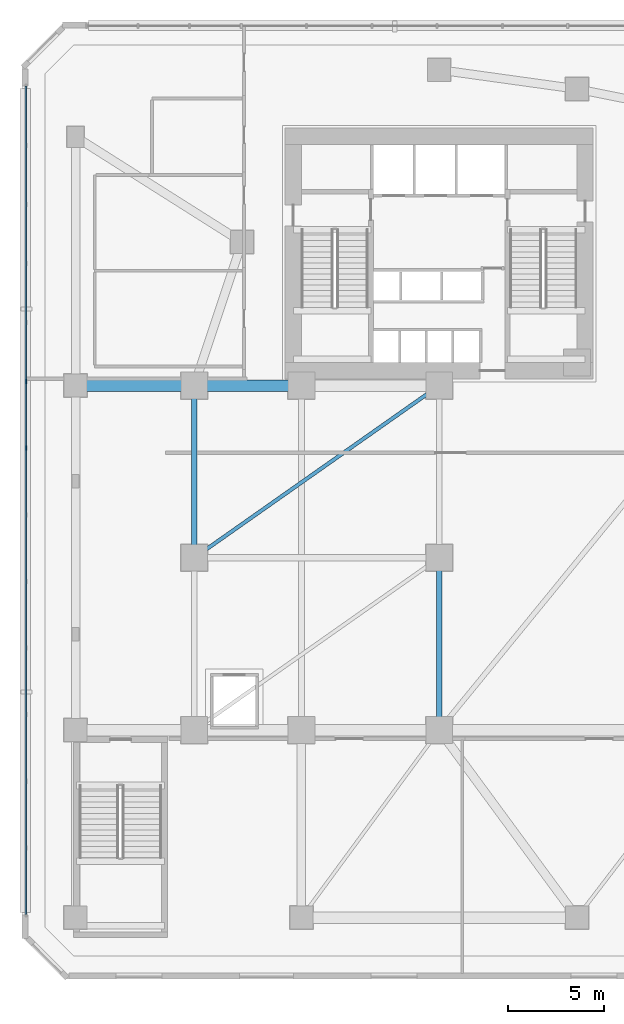
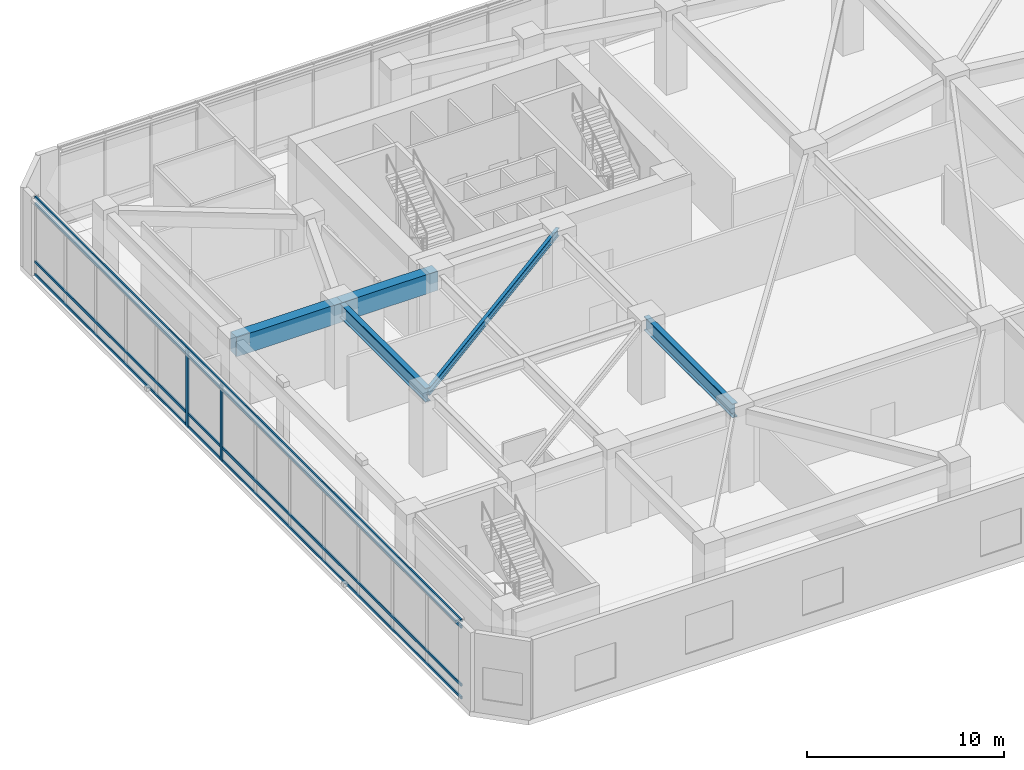
# One storey, part 3 of 18: 6 members, 5 beams, 1 element without a shape of its own.
"""IFC4 building model written with IfcOpenShell, lengths in metres."""

from ifc_helpers import new_model, si_unit, direction, frame, origin, origin_2d, place, context, subcontext, project, spatial, rectangle, i_section, extrude, source, transform, mapped, material, material_profile, profile_set, type_object, element, aggregate, save


model = new_model("IFC4")

# Units and contexts
model_context = context("Model", 3, precision=1e-05, world=origin(), true_north=direction((0.0, 1.0)))
body_context = subcontext(model_context, "Body", "Model", "MODEL_VIEW")
ifc_project = project(units=[si_unit("LENGTHUNIT", "METRE"), si_unit("AREAUNIT", "SQUARE_METRE"), si_unit("VOLUMEUNIT", "CUBIC_METRE"), si_unit("PLANEANGLEUNIT", "RADIAN"), si_unit("MASSUNIT", "GRAM", prefix="KILO")], contexts=[model_context])

# Site, building, storey
site_placement = place(None, origin())
site = spatial("IfcSite", under=ifc_project, at=site_placement, CompositionType="ELEMENT")
building_placement = place(site_placement, origin())
building = spatial("IfcBuilding", under=site, at=building_placement, Name="Calvemar Wedge Station Tower", CompositionType="ELEMENT")
storey_placement = place(building_placement, frame((0.0, 0.0, 11.199951171875)))
storey = spatial("IfcBuildingStorey", under=building, at=storey_placement, Name="L03", CompositionType="ELEMENT", Elevation=11.199951171875)

# Beams
ifc_material_1 = material(Name="Concrete C60", Category="concrete")
ifc_material_profile_1 = material_profile(ifc_material_1, rectangle(XDim=0.60009765625, YDim=1.199951171875, at=origin_2d()), Name="RC600x1200")
ifc_profile_set_1 = profile_set([ifc_material_profile_1], Name="Concrete C60")
beam_type_1 = type_object("IfcBeamType", Name="BM-G1-1200", PredefinedType="BEAM", material=ifc_profile_set_1)
shared_shape_1 = source(origin(), body_context, "Body", "SweptSolid", [
    extrude(rectangle(XDim=0.60009765625, YDim=1.199951171875, at=origin_2d()), origin(), (0.0, 0.0, 1.0), 6.199951171875),
])
beam_1_placement = place(storey_placement, frame((4.800048828125, 33.0, 4.300048828125), z_axis=(1.0, 0.0, 0.0), x_axis=(0.0, 1.0, 0.0)))
element("IfcBeam", 1, at=beam_1_placement, inside=storey, type_object=beam_type_1, Name="Storey L03 Primary Girder G11", PredefinedType="BEAM", context=body_context, shape_type="MappedRepresentation", body=[
    mapped(shared_shape_1, transform((0.0, 0.0, 0.0), scale=1.0)),
])
shared_shape_2 = source(origin(), body_context, "Body", "SweptSolid", [
    extrude(rectangle(XDim=0.60009765625, YDim=1.199951171875, at=origin_2d()), origin(), (0.0, 0.0, 1.0), 5.60009765625),
])
beam_2_placement = place(storey_placement, frame((11.0, 33.0, 4.300048828125), z_axis=(1.0, 0.0, 0.0), x_axis=(0.0, 1.0, 0.0)))
element("IfcBeam", 2, at=beam_2_placement, inside=storey, type_object=beam_type_1, Name="Storey L03 Primary Girder G12", PredefinedType="BEAM", context=body_context, shape_type="MappedRepresentation", body=[
    mapped(shared_shape_2, transform((0.0, 0.0, 0.0), scale=1.0)),
])
ifc_material_2 = material(Name="Structural steel ASTM A572 Grade 50", Category="steel")
ifc_material_profile_2 = material_profile(ifc_material_2, i_section(OverallWidth=0.303955078125, OverallDepth=0.862060546875, WebThickness=0.019775390625, FlangeThickness=0.035888671875, FilletRadius=0.02001953125, at=origin_2d()), Name="W840x329")
ifc_profile_set_2 = profile_set([ifc_material_profile_2], Name="Structural steel ASTM A572 Grade 50")
beam_type_2 = type_object("IfcBeamType", Name="BM-TR2-W840", PredefinedType="BEAM", material=ifc_profile_set_2)
shared_shape_3 = source(origin(), body_context, "Body", "SweptSolid", [
    extrude(i_section(OverallWidth=0.303955078125, OverallDepth=0.862060546875, WebThickness=0.019775390625, FlangeThickness=0.035888671875, FilletRadius=0.02001953125, at=origin_2d()), origin(), (0.0, 0.0, 1.0), 9.0),
])
for number, where, z_axis, x_axis, name in (
    (3, (11.0, 24.0, 4.468994140625), (0.0, 1.0, 0.0), (-1.0, 0.0, 0.0), "Storey L03 Primary Girder G20"),
    (4, (23.800048828125, 15.0, 4.468994140625), (0.0, 1.0, 0.0), (-1.0, 0.0, 0.0), "Storey L03 Primary Girder G22"),
):
    element("IfcBeam", number, at=place(storey_placement, frame(where, z_axis=z_axis, x_axis=x_axis)), inside=storey, type_object=beam_type_2, Name=name, PredefinedType="BEAM", context=body_context, shape_type="MappedRepresentation", body=[
        mapped(shared_shape_3, transform((0.0, 0.0, 0.0), scale=1.0)),
    ])
ifc_material_profile_3 = material_profile(ifc_material_2, i_section(OverallWidth=0.19189453125, OverallDepth=0.462890625, WebThickness=0.010498046875, FlangeThickness=0.017578125, FilletRadius=0.012939453125, at=origin_2d()), Name="W460x89")
ifc_profile_set_3 = profile_set([ifc_material_profile_3], Name="Structural steel ASTM A572 Grade 50")
beam_type_3 = type_object("IfcBeamType", Name="BM-J1-W460", PredefinedType="JOIST", material=ifc_profile_set_3)
shared_shape_4 = source(origin(), body_context, "Body", "SweptSolid", [
    extrude(i_section(OverallWidth=0.19189453125, OverallDepth=0.462890625, WebThickness=0.010498046875, FlangeThickness=0.017578125, FilletRadius=0.012939453125, at=origin_2d()), origin(), (0.0, 0.0, 1.0), 15.6474609375),
])
beam_3_placement = place(storey_placement, frame((11.0, 24.0, 4.66845703125), z_axis=(0.818030190743, 0.575175283747, 0.0), x_axis=(-0.575175283747, 0.818030190743, 0.0)))
element("IfcBeam", 5, at=beam_3_placement, inside=storey, type_object=beam_type_3, Name="Storey L03 Concourse Cross Joist 2", PredefinedType="JOIST", context=body_context, shape_type="MappedRepresentation", body=[
    mapped(shared_shape_4, transform((0.0, 0.0, 0.0), scale=1.0)),
])

# Curtain wall, members
ifc_material_3 = material(Name="Anodised aluminium 6063-T6", Category="aluminium")
curtain_wall_type = type_object("IfcCurtainWallType", Name="CW5", PredefinedType="NOTDEFINED", material=ifc_material_3)
curtain_wall_placement = place(storey_placement, origin())
curtain_wall = element("IfcCurtainWall", 6, at=curtain_wall_placement, inside=storey, type_object=curtain_wall_type, Name="Storey L03 CW5 Recessed Unitised Curtain Wall 6", PredefinedType="NOTDEFINED")
ifc_material_profile_4 = material_profile(ifc_material_3, rectangle(XDim=0.0849609375, YDim=0.169921875, at=origin_2d()), Name="AL-TRN-85x170")
ifc_profile_set_4 = profile_set([ifc_material_profile_4], Name="Anodised aluminium 6063-T6")
member_type_1 = type_object("IfcMemberType", Name="CW5-TRN", PredefinedType="USERDEFINED", material=ifc_profile_set_4)
shared_shape_5 = source(origin(), body_context, "Body", "SweptSolid", [
    extrude(rectangle(XDim=0.0849609375, YDim=0.169921875, at=origin_2d()), origin(), (0.0, 0.0, 1.0), 43.27587890625),
])
member_1_placement = place(storey_placement, frame((2.2099609375, 48.637939453125, 0.06005859375), z_axis=(0.0, -1.0, 0.0), x_axis=(1.0, 0.0, 0.0)))
member_1 = element("IfcMember", 7, at=member_1_placement, type_object=member_type_1, Name="CW5 transom 1", ObjectType="TRANSOM", PredefinedType="USERDEFINED", context=body_context, shape_type="MappedRepresentation", body=[
    mapped(shared_shape_5, transform((0.0, 0.0, 0.0), scale=1.0)),
])
member_2_placement = place(storey_placement, frame((2.2099609375, 48.637939453125, 0.85009765625), z_axis=(0.0, -1.0, 0.0), x_axis=(1.0, 0.0, 0.0)))
member_2 = element("IfcMember", 8, at=member_2_placement, type_object=member_type_1, Name="CW5 transom 2", ObjectType="TRANSOM", PredefinedType="USERDEFINED", context=body_context, shape_type="MappedRepresentation", body=[
    mapped(shared_shape_5, transform((0.0, 0.0, 0.0), scale=1.0)),
])
member_3_placement = place(storey_placement, frame((2.2099609375, 48.637939453125, 4.449951171875), z_axis=(0.0, -1.0, 0.0), x_axis=(1.0, 0.0, 0.0)))
member_3 = element("IfcMember", 9, at=member_3_placement, type_object=member_type_1, Name="CW5 transom 3", ObjectType="TRANSOM", PredefinedType="USERDEFINED", context=body_context, shape_type="MappedRepresentation", body=[
    mapped(shared_shape_5, transform((0.0, 0.0, 0.0), scale=1.0)),
])
member_4_placement = place(storey_placement, frame((2.2099609375, 48.637939453125, 4.840087890625), z_axis=(0.0, -1.0, 0.0), x_axis=(1.0, 0.0, 0.0)))
member_4 = element("IfcMember", 10, at=member_4_placement, type_object=member_type_1, Name="CW5 transom 4", ObjectType="TRANSOM", PredefinedType="USERDEFINED", context=body_context, shape_type="MappedRepresentation", body=[
    mapped(shared_shape_5, transform((0.0, 0.0, 0.0), scale=1.0)),
])
ifc_material_profile_5 = material_profile(ifc_material_3, rectangle(XDim=0.0849609375, YDim=0.239990234375, at=origin_2d()), Name="AL-MUL-85x240")
ifc_profile_set_5 = profile_set([ifc_material_profile_5], Name="Anodised aluminium 6063-T6")
member_type_2 = type_object("IfcMemberType", Name="CW5-MUL", PredefinedType="MULLION", material=ifc_profile_set_5)
shared_shape_6 = source(origin(), body_context, "Body", "SweptSolid", [
    extrude(rectangle(XDim=0.0849609375, YDim=0.239990234375, at=origin_2d()), origin(), (0.0, 0.0, 1.0), 4.9501953125),
])
member_5_placement = place(storey_placement, frame((2.2099609375, 33.2099609375, -0.050048828125), z_axis=(0.0, 0.0, 1.0), x_axis=(1.0, 0.0, 0.0)))
member_5 = element("IfcMember", 11, at=member_5_placement, type_object=member_type_2, Name="CW5 mullion 6", PredefinedType="MULLION", context=body_context, shape_type="MappedRepresentation", body=[
    mapped(shared_shape_6, transform((0.0, 0.0, 0.0), scale=1.0)),
])
member_6_placement = place(storey_placement, frame((2.2099609375, 29.72900390625, -0.050048828125), z_axis=(0.0, 0.0, 1.0), x_axis=(1.0, 0.0, 0.0)))
member_6 = element("IfcMember", 12, at=member_6_placement, type_object=member_type_2, Name="CW5 mullion 7", PredefinedType="MULLION", context=body_context, shape_type="MappedRepresentation", body=[
    mapped(shared_shape_6, transform((0.0, 0.0, 0.0), scale=1.0)),
])
aggregate(curtain_wall, [member_5, member_6, member_1, member_2, member_3, member_4])

save(model, "model.ifc")
